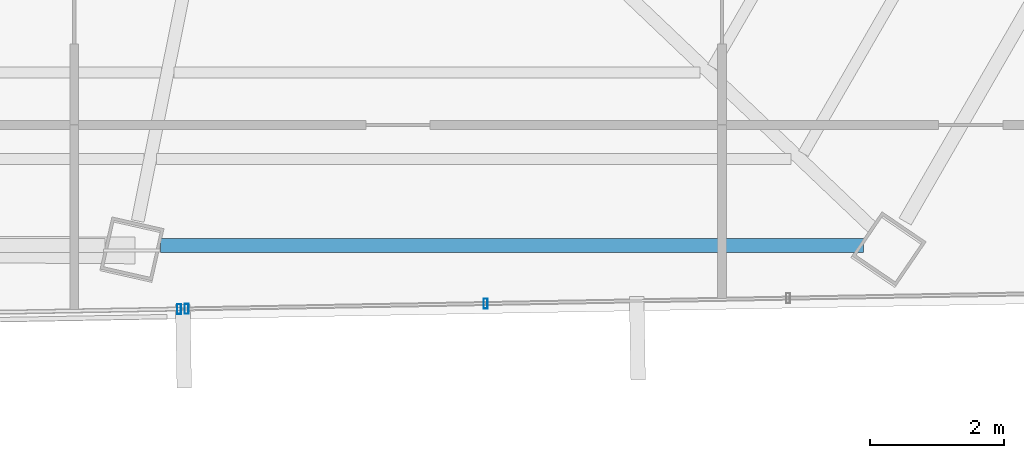
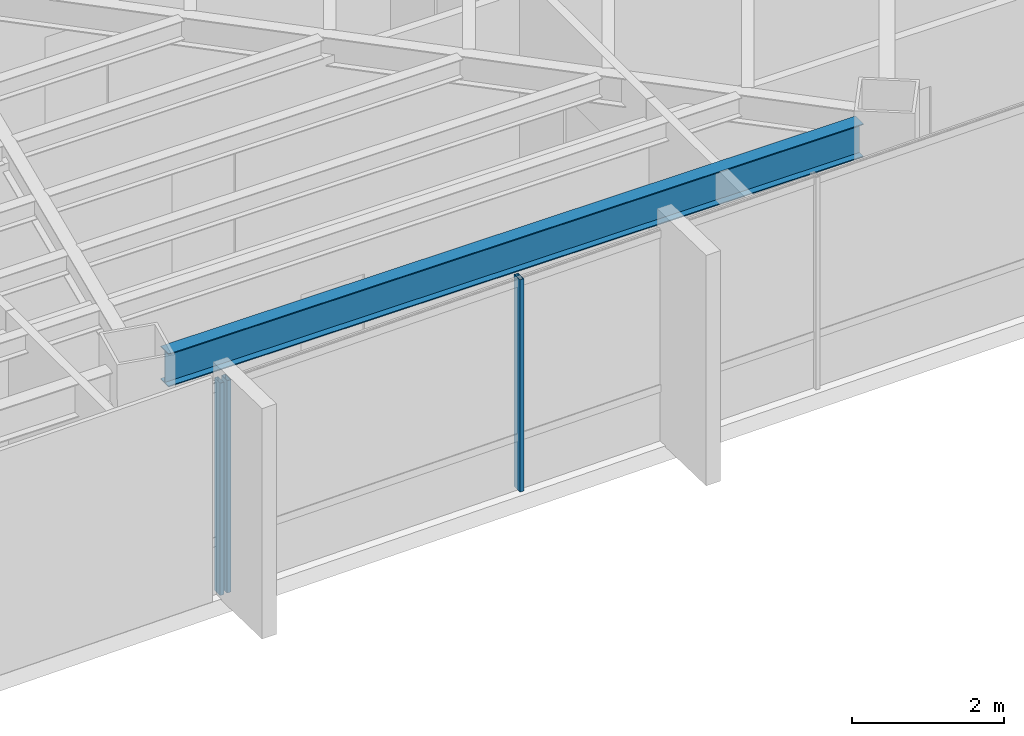
# One storey, part 18 of 42: 3 members, 1 beam, 2 elements without a shape of their own.
"""IFC4 building model written with IfcOpenShell, lengths in metres."""

from ifc_helpers import new_model, si_unit, direction, frame, origin, origin_2d, place, context, subcontext, project, spatial, hollow_rectangle, i_section, extrude, source, transform, mapped, material, material_profile, profile_set, type_object, type_shapes, element, aggregate, save


model = new_model("IFC4")

# Units and contexts
model_context = context("Model", 3, precision=1e-05, world=origin(), true_north=direction((0.0, 1.0)))
body_context = subcontext(model_context, "Body", "Model", "MODEL_VIEW")
ifc_project = project(units=[si_unit("LENGTHUNIT", "METRE"), si_unit("AREAUNIT", "SQUARE_METRE"), si_unit("VOLUMEUNIT", "CUBIC_METRE"), si_unit("PLANEANGLEUNIT", "RADIAN"), si_unit("MASSUNIT", "GRAM", prefix="KILO")], contexts=[model_context])

# Site, building, storey
site_placement = place(None, origin())
site = spatial("IfcSite", under=ifc_project, at=site_placement, CompositionType="ELEMENT")
building_placement = place(site_placement, origin())
building = spatial("IfcBuilding", under=site, at=building_placement, Name="Caelisora Broadcast Tower", CompositionType="ELEMENT")
storey_placement = place(building_placement, frame((0.0, 0.0, 202.300048828125)))
storey = spatial("IfcBuildingStorey", under=building, at=storey_placement, Name="L53", CompositionType="ELEMENT", Elevation=202.300048828125)

# Beam
ifc_material_1 = material(Name="Steel Grade 350 (AS/NZS 3679.1)", Category="steel")
ifc_material_profile_1 = material_profile(ifc_material_1, i_section(OverallWidth=0.208984375, OverallDepth=0.532958984375, WebThickness=0.01025390625, FlangeThickness=0.015625, at=origin_2d()), Name="Steel Grade 350 (AS/NZS 3679.1)")
ifc_profile_set_1 = profile_set([ifc_material_profile_1], Name="Steel Grade 350 (AS/NZS 3679.1)")
beam_type = type_object("IfcBeamType", Name="PG05", PredefinedType="BEAM", material=ifc_profile_set_1)
shared_shape_1 = source(origin(), body_context, "Body", "SweptSolid", [
    extrude(i_section(OverallWidth=0.208984375, OverallDepth=0.532958984375, WebThickness=0.01025390625, FlangeThickness=0.015625, at=origin_2d()), origin(), (0.0, 0.0, 1.0), 10.5244140625),
])
type_shapes(beam_type, [shared_shape_1])
beam_placement = place(storey_placement, frame((44.093994140625, 8.33251953125, 3.133544921875), z_axis=(1.0, 0.0, 0.0), x_axis=(0.0, 1.0, 0.0)))
element("IfcBeam", 1, at=beam_placement, inside=storey, type_object=beam_type, Name="L53 beam PG05", PredefinedType="BEAM", context=body_context, shape_type="MappedRepresentation", body=[
    mapped(shared_shape_1, transform((0.0, 0.0, 0.0), scale=1.0)),
])

# Curtain wall, members
ifc_material_2 = material(Name="Unitised Aluminium and Low-E Glass Curtain Wall", Category="glass")
curtain_wall_type_1 = type_object("IfcCurtainWallType", Name="CW-Z4", PredefinedType="NOTDEFINED", material=ifc_material_2)
curtain_wall_1_placement = place(storey_placement, origin())
curtain_wall_1 = element("IfcCurtainWall", 2, at=curtain_wall_1_placement, inside=storey, type_object=curtain_wall_type_1, Name="L53 curtain wall CW-Z4", PredefinedType="NOTDEFINED")
ifc_material_3 = material(Name="Aluminium 6063-T6 Anodised Terracotta Bronze", Category="aluminium")
ifc_material_profile_2 = material_profile(ifc_material_3, hollow_rectangle(XDim=0.06005859375, YDim=0.14990234375, WallThickness=0.00341796875, at=origin_2d()), Name="Aluminium 6063-T6 Anodised Terracotta Bronze")
ifc_profile_set_2 = profile_set([ifc_material_profile_2], Name="Aluminium 6063-T6 Anodised Terracotta Bronze")
member_type = type_object("IfcMemberType", Name="CWM-03", PredefinedType="MULLION", material=ifc_profile_set_2)
shared_shape_2 = source(origin(), body_context, "Body", "SweptSolid", [
    extrude(hollow_rectangle(XDim=0.06005859375, YDim=0.14990234375, WallThickness=0.00341796875, at=origin_2d()), origin(), (0.0, 0.0, 1.0), 3.39990234375),
])
type_shapes(member_type, [shared_shape_2])
member_1_placement = place(storey_placement, frame((48.961669921875, 7.465087890625, 0.0), z_axis=(0.0, 0.0, 1.0), x_axis=(1.0, 0.0, 0.0)))
member_1 = element("IfcMember", 3, at=member_1_placement, type_object=member_type, Name="L53-CW-B05 mullion #2", PredefinedType="MULLION", context=body_context, shape_type="MappedRepresentation", body=[
    mapped(shared_shape_2, transform((0.0, 0.0, 0.0), scale=1.0)),
])
member_2_placement = place(storey_placement, frame((44.482421875, 7.385009765625, 0.0), z_axis=(0.0, 0.0, 1.0), x_axis=(1.0, 0.0, 0.0)))
member_2 = element("IfcMember", 4, at=member_2_placement, type_object=member_type, Name="L53-CW-B05 mullion #3", PredefinedType="MULLION", context=body_context, shape_type="MappedRepresentation", body=[
    mapped(shared_shape_2, transform((0.0, 0.0, 0.0), scale=1.0)),
])
aggregate(curtain_wall_1, [member_1, member_2])

# Curtain wall, member
ifc_material_4 = material(Name="Unitised Aluminium Insulated Shadow-Box Spandrel Curtain Wall", Category="aluminium")
curtain_wall_type_2 = type_object("IfcCurtainWallType", Name="CW-SP2", PredefinedType="NOTDEFINED", material=ifc_material_4)
curtain_wall_2_placement = place(storey_placement, origin())
curtain_wall_2 = element("IfcCurtainWall", 5, at=curtain_wall_2_placement, inside=storey, type_object=curtain_wall_type_2, Name="L53 curtain wall CW-SP2", PredefinedType="NOTDEFINED")
member_3_placement = place(storey_placement, frame((44.37255859375, 7.383056640625, 0.0), z_axis=(0.0, 0.0, 1.0), x_axis=(1.0, 0.0, 0.0)))
member_3 = element("IfcMember", 6, at=member_3_placement, type_object=member_type, Name="L53-CW-B06 mullion #0", PredefinedType="MULLION", context=body_context, shape_type="MappedRepresentation", body=[
    mapped(shared_shape_2, transform((0.0, 0.0, 0.0), scale=1.0)),
])
aggregate(curtain_wall_2, [member_3])

save(model, "model.ifc")
